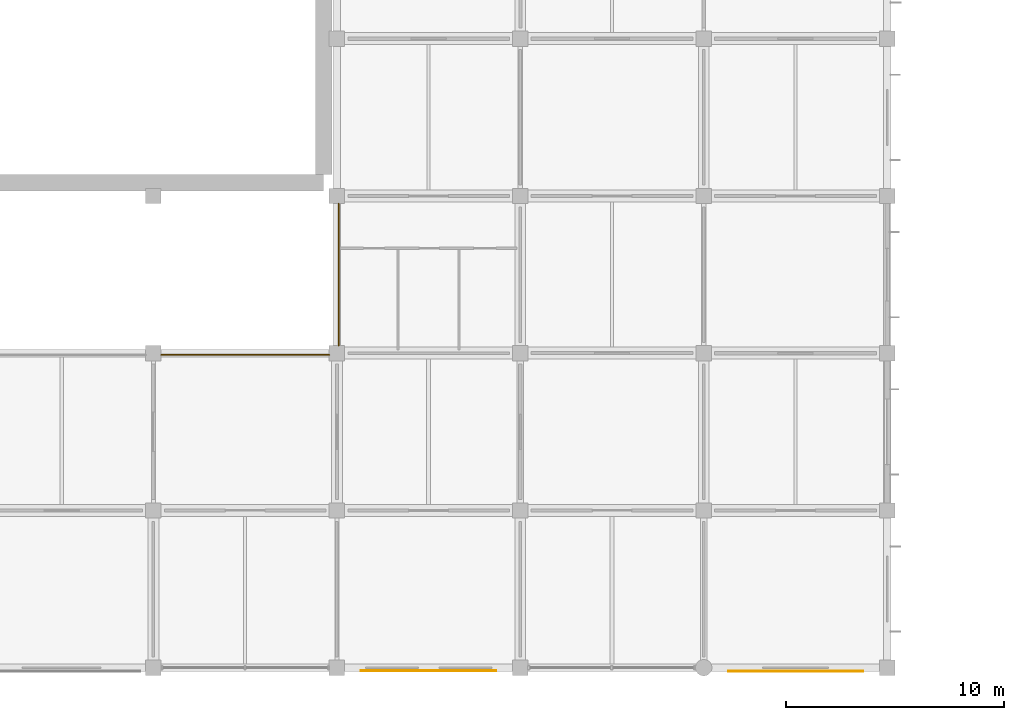
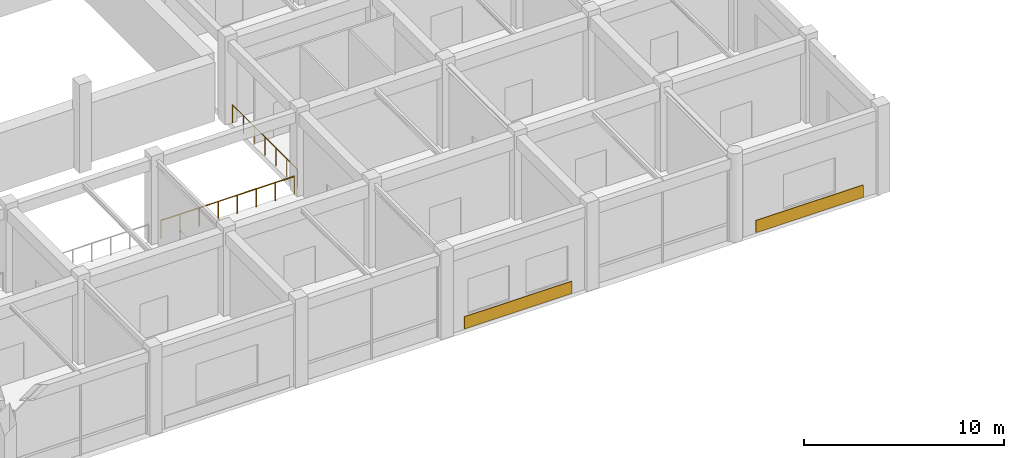
# One storey, part 33 of 41: 2 coverings, 2 railings.
"""IFC4 building model written with IfcOpenShell, lengths in metres."""

import ifcopenshell
import ifcopenshell.guid

model = None  # the IFC model being written
_history = None  # IfcOwnerHistory: only IFC2X3 demands one
_inside = {}  # id of a spatial element -> (the spatial element, [elements in it])
_under = {}  # id of a project, library or spatial element -> (it, [spatial elements below it])
_declared = {}  # id of a project -> (the project, [libraries it declares])
_typed = {}  # id of a type object -> (the type object, [elements of that type])
_made_of = {}  # id of a material, layer set ... -> (it, [elements and type objects made of it])


def new_model(schema):
    """Start an empty IFC model of exactly this schema.

    Asked for "IFC4X3", IfcOpenShell would pick the latest addendum, in which some entities
    have other attributes; the version numbers below select the first issue.
    IFC2X3 requires an IfcOwnerHistory on every rooted entity: one is made here for all.
    """
    global model, _history
    if schema == "IFC4X3":
        model = ifcopenshell.file(schema_version=(4, 3, 0, 0))
    else:
        model = ifcopenshell.file(schema=schema)
    _inside.clear()
    _under.clear()
    _declared.clear()
    _typed.clear()
    _made_of.clear()
    _history = None
    if model.schema == "IFC2X3":
        org = make("IfcOrganization", Name="unknown")
        user = make(
            "IfcPersonAndOrganization",
            ThePerson=make("IfcPerson", FamilyName="unknown"),
            TheOrganization=org,
        )
        app = make(
            "IfcApplication",
            ApplicationDeveloper=org,
            Version="unknown",
            ApplicationFullName="unknown",
            ApplicationIdentifier="unknown",
        )
        _history = make(
            "IfcOwnerHistory",
            OwningUser=user,
            OwningApplication=app,
            ChangeAction="ADDED",
            CreationDate=0,
        )
    return model


def make(cls, **values):
    """One entity of the class cls with the attributes given. An attribute that is None is left unset."""
    return model.create_entity(
        cls, **{name: value for name, value in values.items() if value is not None}
    )


def rooted(cls, **values):
    """An entity with a GlobalId (a new one), such as an element, a storey or a relation."""
    return make(cls, GlobalId=ifcopenshell.guid.new(), OwnerHistory=_history, **values)


def si_unit(unit_type, name, prefix=None):
    """IfcSIUnit, for example si_unit("LENGTHUNIT", "METRE", prefix="MILLI")."""
    return make("IfcSIUnit", UnitType=unit_type, Prefix=prefix, Name=name)


def derived_unit(unit_type, elements):
    """IfcDerivedUnit: a product of units, each with its exponent."""
    return make(
        "IfcDerivedUnit",
        Elements=[
            make("IfcDerivedUnitElement", Unit=unit, Exponent=power)
            for unit, power in elements
        ],
        UnitType=unit_type,
    )


def assignment(units):
    """IfcUnitAssignment: the units of a project."""
    return None if units is None else make("IfcUnitAssignment", Units=units)


def point(xyz):
    """IfcCartesianPoint."""
    return None if xyz is None else make("IfcCartesianPoint", Coordinates=xyz)


def direction(xyz):
    """IfcDirection."""
    return None if xyz is None else make("IfcDirection", DirectionRatios=xyz)


def frame(location, z_axis=None, x_axis=None):
    """IfcAxis2Placement3D, a coordinate frame: its origin and axes. An axis left out is left unset."""
    return make(
        "IfcAxis2Placement3D",
        Location=point(location),
        Axis=direction(z_axis),
        RefDirection=direction(x_axis),
    )


def frame_2d(location, x_axis=None):
    """IfcAxis2Placement2D, a coordinate frame in the plane: its origin and x axis."""
    return make(
        "IfcAxis2Placement2D", Location=point(location), RefDirection=direction(x_axis)
    )


def origin():
    """The frame at (0, 0, 0) with its axes left unset."""
    return frame((0.0, 0.0, 0.0))


def origin_2d():
    """The frame at (0, 0) in the plane with its x axis left unset."""
    return frame_2d((0.0, 0.0))


def place(relative_to, where):
    """IfcLocalPlacement: puts the frame where relative to a parent placement (None: the world)."""
    return make(
        "IfcLocalPlacement", PlacementRelTo=relative_to, RelativePlacement=where
    )


def context(
    kind, dimensions, precision=None, world=None, true_north=None, identifier=None
):
    """IfcGeometricRepresentationContext, for example the 3D "Model" context."""
    return make(
        "IfcGeometricRepresentationContext",
        ContextIdentifier=identifier,
        ContextType=kind,
        CoordinateSpaceDimension=dimensions,
        Precision=precision,
        WorldCoordinateSystem=world,
        TrueNorth=true_north,
    )


def subcontext(parent, identifier, kind, view, scale=None):
    """IfcGeometricRepresentationSubContext, for example "Body" below "Model"."""
    return make(
        "IfcGeometricRepresentationSubContext",
        ContextIdentifier=identifier,
        ContextType=kind,
        ParentContext=parent,
        TargetScale=scale,
        TargetView=view,
    )


def project(units=None, contexts=None):
    """IfcProject with its units and contexts."""
    return rooted(
        "IfcProject",
        Name="project",
        RepresentationContexts=contexts,
        UnitsInContext=assignment(units),
    )


def spatial(cls, under=None, at=None, **own):
    """A site, building, storey or space (cls), placed at a placement, below another one or the project."""
    s = rooted(cls, ObjectPlacement=at, **own)
    if under is not None:
        _under.setdefault(under.id(), (under, []))[1].append(s)
    return s


def profile(cls, at=None, kind="AREA", **sizes):
    """A parametric profile (cls). Its sizes go by their IFC names, for example OverallWidth=200.0."""
    return make(cls, ProfileType=kind, Position=at, **sizes)


def rectangle(**sizes):
    """IfcRectangleProfileDef."""
    return profile("IfcRectangleProfileDef", **sizes)


def circle(**sizes):
    """IfcCircleProfileDef."""
    return profile("IfcCircleProfileDef", **sizes)


def extrude(swept, where, along, depth):
    """IfcExtrudedAreaSolid: the profile swept, set in the frame where, extruded along a direction by depth."""
    return make(
        "IfcExtrudedAreaSolid",
        SweptArea=swept,
        Position=where,
        ExtrudedDirection=direction(along),
        Depth=depth,
    )


def shape(context_of_items, identifier, shape_type, items):
    """IfcShapeRepresentation: the items that make up one representation, for example the "Body"."""
    return make(
        "IfcShapeRepresentation",
        ContextOfItems=context_of_items,
        RepresentationIdentifier=identifier,
        RepresentationType=shape_type,
        Items=items,
    )


def material(Name=None, Category=None):
    """IfcMaterial."""
    return make("IfcMaterial", Name=Name, Category=Category)


def layer(
    of_material, thickness, ventilated=None, Name=None, Category=None, Priority=None
):
    """IfcMaterialLayer: one layer of a wall or slab, of a material (None: an air gap)."""
    return make(
        "IfcMaterialLayer",
        Material=of_material,
        LayerThickness=thickness,
        IsVentilated=ventilated,
        Name=Name,
        Category=Category,
        Priority=Priority,
    )


def layer_set(layers, Name=None):
    """IfcMaterialLayerSet."""
    return make("IfcMaterialLayerSet", MaterialLayers=layers, LayerSetName=Name)


def made_of(thing, what):
    """Note that an element or type object is made of a material, layer set ...; save() writes the relation."""
    if what is not None:
        _made_of.setdefault(what.id(), (what, []))[1].append(thing)
    return thing


def type_object(cls, material=None, **own):
    """A type object (cls), such as IfcWallType, which elements share."""
    return made_of(rooted(cls, **own), material)


def element(
    cls,
    number,
    at=None,
    inside=None,
    cuts=None,
    type_object=None,
    material=None,
    context=None,
    identifier="Body",
    shape_type=None,
    held_by="IfcProductDefinitionShape",
    body=None,
    shapes=None,
    **own,
):
    """One element of the class cls, such as IfcWall. Its Tag is "e" and its number.

    at: its placement. inside: the storey or other place that contains it. cuts: it is an
    opening in that element (IfcRelVoidsElement). A single representation is given by context,
    identifier, shape_type and body (its items); several are given by shapes. held_by: the class
    of the entity that holds the representations. save() writes the other relations.
    """
    e = rooted(cls, Tag="e%d" % number, ObjectPlacement=at, **own)
    if body is not None:
        shapes = [shape(context, identifier, shape_type, body)]
    if shapes is not None:
        e.Representation = make(held_by, Representations=shapes)
    if inside is not None:
        _inside.setdefault(inside.id(), (inside, []))[1].append(e)
    if cuts is not None:
        rooted(
            "IfcRelVoidsElement", RelatingBuildingElement=cuts, RelatedOpeningElement=e
        )
    if type_object is not None:
        _typed.setdefault(type_object.id(), (type_object, []))[1].append(e)
    return made_of(e, material)


def aggregate(whole, parts):
    """IfcRelAggregates: a whole, such as a stair, and the parts it consists of."""
    return rooted("IfcRelAggregates", RelatingObject=whole, RelatedObjects=parts)


def save(model, path):
    """Write the relations noted so far, then the file.

    IfcRelAggregates (storeys below a building ...), IfcRelContainedInSpatialStructure (elements
    in a storey), IfcRelDefinesByType, IfcRelAssociatesMaterial and IfcRelDeclares: one each for
    every whole, place, type object, material and project.
    """
    for whole, parts in _under.values():
        aggregate(whole, parts)
    for where, things in _inside.values():
        rooted(
            "IfcRelContainedInSpatialStructure",
            RelatedElements=things,
            RelatingStructure=where,
        )
    for kind, things in _typed.values():
        rooted("IfcRelDefinesByType", RelatedObjects=things, RelatingType=kind)
    for what, things in _made_of.values():
        rooted("IfcRelAssociatesMaterial", RelatedObjects=things, RelatingMaterial=what)
    for by, libraries in _declared.values():
        rooted("IfcRelDeclares", RelatingContext=by, RelatedDefinitions=libraries)
    model.write(path)


model = new_model("IFC4")

# Units and contexts
model_context = context("Model", 3, precision=1e-05, world=origin(), true_north=direction((0.0, 1.0)))
body_context = subcontext(model_context, "Body", "Model", "MODEL_VIEW")
ifc_project = project(units=[si_unit("LENGTHUNIT", "METRE"), si_unit("AREAUNIT", "SQUARE_METRE"), si_unit("VOLUMEUNIT", "CUBIC_METRE"), si_unit("PLANEANGLEUNIT", "RADIAN"), si_unit("MASSUNIT", "GRAM", prefix="KILO"), derived_unit("THERMALTRANSMITTANCEUNIT", [(si_unit("MASSUNIT", "GRAM", prefix="KILO"), 1), (si_unit("TIMEUNIT", "SECOND"), -3), (si_unit("THERMODYNAMICTEMPERATUREUNIT", "KELVIN"), -1)])], contexts=[model_context])

# Site, building, storey
site_placement = place(None, origin())
site = spatial("IfcSite", under=ifc_project, at=site_placement, CompositionType="ELEMENT")
building_placement = place(site_placement, origin())
building = spatial("IfcBuilding", under=site, at=building_placement, Name="Veldstrom Oceanarium and Marine Research Institute", CompositionType="ELEMENT")
storey_placement = place(building_placement, frame((0.0, 0.0, 6.0)))
storey = spatial("IfcBuildingStorey", under=building, at=storey_placement, Name="L01", CompositionType="ELEMENT", Elevation=6.0)

# Coverings
ifc_material_1 = material(Name="Terracotta Spandrel Rainscreen Cladding", Category="masonry")
ifc_layer_1 = layer(ifc_material_1, 0.75)
ifc_layer_set_1 = layer_set([ifc_layer_1], Name="ARC-COV-CD2")
covering_type = type_object("IfcCoveringType", Name="ARC-COV-CD2", PredefinedType="CLADDING", material=ifc_layer_set_1)
for number, where, z_axis, x_axis, name in (
    (1, (46.199951171875, -0.14111328125, 0.044921875), (0.0, 0.0, 1.0), (1.0, 0.0, 0.0), "Spandrel Rainscreen Cladding L01-035"),
    (2, (63.012451171875, -0.160888671875, 0.044921875), (0.0, 0.0, 1.0), (1.0, 0.0, 0.0), "Spandrel Rainscreen Cladding L01-037"),
):
    element("IfcCovering", number, at=place(storey_placement, frame(where, z_axis=z_axis, x_axis=x_axis)), inside=storey, type_object=covering_type, Name=name, PredefinedType="CLADDING", context=body_context, shape_type="SweptSolid", body=[
        extrude(rectangle(XDim=6.199951171875, YDim=0.0400390625, at=origin_2d()), origin(), (0.0, 0.0, 1.0), 0.75),
    ])

# Railings
ifc_material_2 = material(Name="Duplex Stainless Steel Balustrade", Category="steel")
ifc_layer_2 = layer(ifc_material_2, 0.06005859375)
ifc_layer_set_2 = layer_set([ifc_layer_2], Name="ARC-RLG-GR1")
railing_type = type_object("IfcRailingType", Name="ARC-RLG-GR1", PredefinedType="GUARDRAIL", material=ifc_layer_set_2)
railing_1_placement = place(storey_placement, frame((33.949951171875, 14.320068359375, 0.0)))
element("IfcRailing", 3, at=railing_1_placement, inside=storey, type_object=railing_type, Name="Atrium Overlook Guardrail GR-ATR-L01-04", PredefinedType="GUARDRAIL", context=body_context, shape_type="SweptSolid", body=[
    extrude(circle(Radius=0.02392578125, at=origin_2d()), frame((0.0, 0.0, 1.09619140625), z_axis=(1.0, 0.0, 0.0), x_axis=(0.0, 1.0, 0.0)), (0.0, 0.0, 1.0), 7.699951171875),
    extrude(circle(Radius=0.02099609375, at=origin_2d()), origin(), (0.0, 0.0, 1.0), 1.072021484375),
    extrude(circle(Radius=0.02099609375, at=origin_2d()), frame((1.10009765625, 0.0, 0.0)), (0.0, 0.0, 1.0), 1.072021484375),
    extrude(circle(Radius=0.02099609375, at=origin_2d()), frame((2.199951171875, 0.0, 0.0)), (0.0, 0.0, 1.0), 1.072021484375),
    extrude(circle(Radius=0.02099609375, at=origin_2d()), frame((3.300048828125, 0.0, 0.0)), (0.0, 0.0, 1.0), 1.072021484375),
    extrude(circle(Radius=0.02099609375, at=origin_2d()), frame((4.39990234375, 0.0, 0.0)), (0.0, 0.0, 1.0), 1.072021484375),
    extrude(circle(Radius=0.02099609375, at=origin_2d()), frame((5.5, 0.0, 0.0)), (0.0, 0.0, 1.0), 1.072021484375),
    extrude(circle(Radius=0.02099609375, at=origin_2d()), frame((6.599853515625, 0.0, 0.0)), (0.0, 0.0, 1.0), 1.072021484375),
    extrude(circle(Radius=0.02099609375, at=origin_2d()), frame((7.699951171875, 0.0, 0.0)), (0.0, 0.0, 1.0), 1.072021484375),
])
railing_2_placement = place(storey_placement, frame((42.080078125, 14.75, 0.0)))
element("IfcRailing", 4, at=railing_2_placement, inside=storey, type_object=railing_type, Name="Atrium Overlook Guardrail GR-ATR-L01-05", PredefinedType="GUARDRAIL", context=body_context, shape_type="SweptSolid", body=[
    extrude(circle(Radius=0.02392578125, at=origin_2d()), frame((0.0, 0.0, 1.09619140625), z_axis=(0.0, 1.0, 0.0), x_axis=(-1.0, 0.0, 0.0)), (0.0, 0.0, 1.0), 6.5),
    extrude(circle(Radius=0.02099609375, at=origin_2d()), origin(), (0.0, 0.0, 1.0), 1.072021484375),
    extrude(circle(Radius=0.02099609375, at=origin_2d()), frame((0.0, 1.083251953125, 0.0)), (0.0, 0.0, 1.0), 1.072021484375),
    extrude(circle(Radius=0.02099609375, at=origin_2d()), frame((0.0, 2.166748046875, 0.0)), (0.0, 0.0, 1.0), 1.072021484375),
    extrude(circle(Radius=0.02099609375, at=origin_2d()), frame((0.0, 3.25, 0.0)), (0.0, 0.0, 1.0), 1.072021484375),
    extrude(circle(Radius=0.02099609375, at=origin_2d()), frame((0.0, 4.333251953125, 0.0)), (0.0, 0.0, 1.0), 1.072021484375),
    extrude(circle(Radius=0.02099609375, at=origin_2d()), frame((0.0, 5.416748046875, 0.0)), (0.0, 0.0, 1.0), 1.072021484375),
    extrude(circle(Radius=0.02099609375, at=origin_2d()), frame((0.0, 6.5, 0.0)), (0.0, 0.0, 1.0), 1.072021484375),
])

save(model, "model.ifc")
